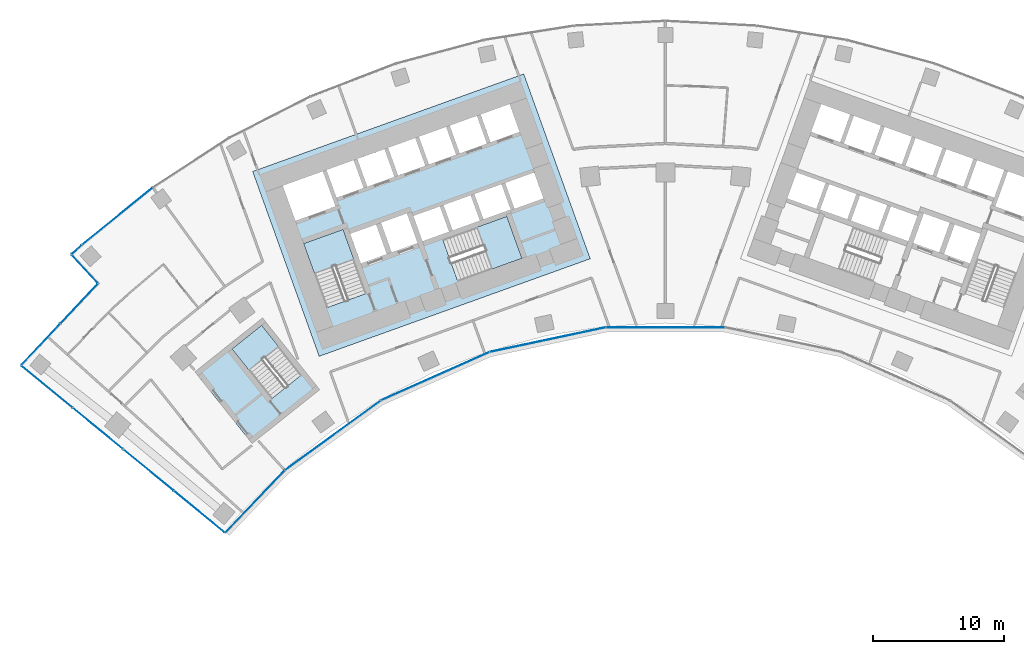
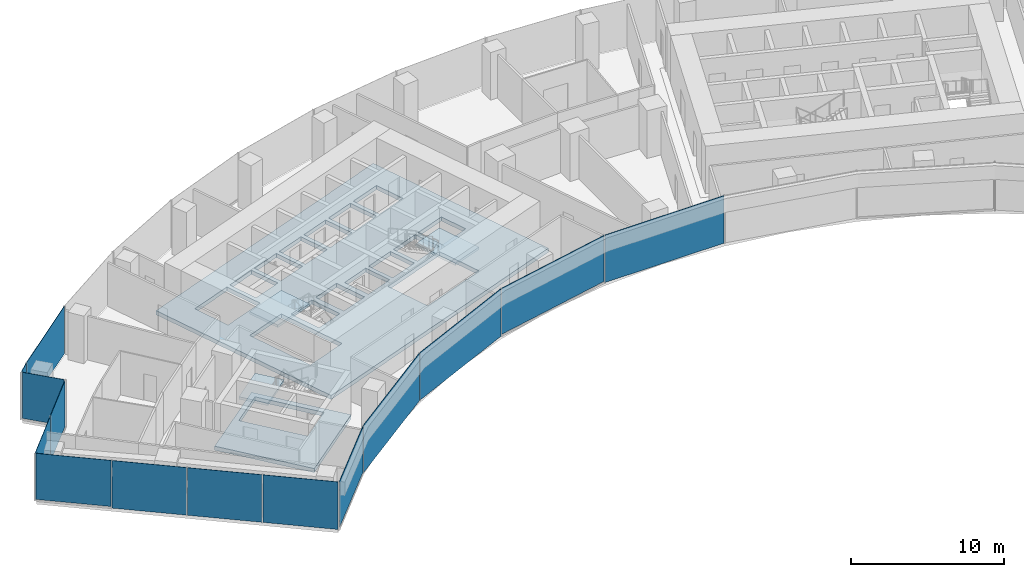
# One storey, part 11 of 20: 14 plates, 5 slabs, 8 elements without a shape of their own.
"""IFC4 building model written with IfcOpenShell, lengths in metres."""

from ifc_helpers import new_model, si_unit, direction, frame, origin, origin_2d, place, context, subcontext, project, spatial, polyline, rectangle, outline, extrude, material, layer, layer_set, type_object, element, aggregate, save


model = new_model("IFC4")

# Units and contexts
model_context = context("Model", 3, precision=1e-05, world=origin(), true_north=direction((0.0, 1.0)))
body_context = subcontext(model_context, "Body", "Model", "MODEL_VIEW")
ifc_project = project(units=[si_unit("LENGTHUNIT", "METRE"), si_unit("AREAUNIT", "SQUARE_METRE"), si_unit("VOLUMEUNIT", "CUBIC_METRE"), si_unit("PLANEANGLEUNIT", "RADIAN"), si_unit("MASSUNIT", "GRAM", prefix="KILO")], contexts=[model_context])

# Site, building, storey
site_placement = place(None, origin())
site = spatial("IfcSite", under=ifc_project, at=site_placement, CompositionType="ELEMENT")
building_placement = place(site_placement, origin())
building = spatial("IfcBuilding", under=site, at=building_placement, Name="Stone Belt Terrace Tower", CompositionType="ELEMENT")
storey_placement = place(building_placement, frame((0.0, 0.0, 106.0)))
storey = spatial("IfcBuildingStorey", under=building, at=storey_placement, Name="L25", CompositionType="ELEMENT", Elevation=106.0)

# Curtain wall, plates
ifc_material_1 = material(Name="Aluminium 6063-T6 anodised frame", Category="aluminium")
ifc_layer_1 = layer(ifc_material_1, 0.14990234375)
ifc_layer_set_1 = layer_set([ifc_layer_1], Name="CW-A unitised convex-face curtain wall")
curtain_wall_type_1 = type_object("IfcCurtainWallType", Name="CW-A unitised convex-face curtain wall", PredefinedType="NOTDEFINED", material=ifc_layer_set_1)
curtain_wall_1_placement = place(storey_placement, origin())
curtain_wall_1 = element("IfcCurtainWall", 1, at=curtain_wall_1_placement, inside=storey, type_object=curtain_wall_type_1, Name="CW-A convex face L25", PredefinedType="NOTDEFINED")
ifc_material_2 = material(Name="Clear double glazed unit")
ifc_layer_2 = layer(ifc_material_2, 0.031982421875)
ifc_layer_set_2 = layer_set([ifc_layer_2], Name="CW-A glass panel 32")
plate_type_1 = type_object("IfcPlateType", Name="CW-A glass panel 32", PredefinedType="CURTAIN_PANEL", material=ifc_layer_set_2)
plate_1_placement = place(storey_placement, frame((-41.839599609375, 51.667724609375, 0.0), z_axis=(0.0, 0.0, 1.0), x_axis=(-0.777145961457, -0.62932039105, 0.0)))
plate_1 = element("IfcPlate", 2, at=plate_1_placement, type_object=plate_type_1, Name="CW-A panel 16.1", PredefinedType="CURTAIN_PANEL", context=body_context, shape_type="SweptSolid", body=[
    extrude(rectangle(XDim=6.900634765625, YDim=0.031982421875, at=origin_2d()), origin(), (0.0, 0.0, 1.0), 3.800048828125),
])
plate_2_placement = place(storey_placement, frame((-44.933837890625, 49.12158203125, 0.0), z_axis=(0.0, 0.0, 1.0), x_axis=(-0.738017867244, -0.674781170179, 0.0)))
plate_2 = element("IfcPlate", 3, at=plate_2_placement, type_object=plate_type_1, Name="CW-A panel 17.1", PredefinedType="CURTAIN_PANEL", context=body_context, shape_type="SweptSolid", body=[
    extrude(rectangle(XDim=0.986083984375, YDim=0.031982421875, at=origin_2d()), origin(), (0.0, 0.0, 1.0), 3.800048828125),
])
aggregate(curtain_wall_1, [plate_1, plate_2])

ifc_layer_3 = layer(ifc_material_1, 0.14990234375)
ifc_layer_set_3 = layer_set([ifc_layer_3], Name="CW-B unitised concave-face curtain wall")
curtain_wall_type_2 = type_object("IfcCurtainWallType", Name="CW-B unitised concave-face curtain wall", PredefinedType="NOTDEFINED", material=ifc_layer_set_3)
curtain_wall_2_placement = place(storey_placement, origin())
curtain_wall_2 = element("IfcCurtainWall", 4, at=curtain_wall_2_placement, inside=storey, type_object=curtain_wall_type_2, Name="CW-B concave face L25", PredefinedType="NOTDEFINED")
ifc_layer_4 = layer(ifc_material_2, 0.030029296875)
ifc_layer_set_4 = layer_set([ifc_layer_4], Name="CW-B glass panel 30")
plate_type_2 = type_object("IfcPlateType", Name="CW-B glass panel 30", PredefinedType="CURTAIN_PANEL", material=ifc_layer_set_4)
plate_3_placement = place(storey_placement, frame((-31.32666015625, 29.89453125, 0.1201171875), z_axis=(0.0, 0.0, 1.0), x_axis=(0.690701733714, 0.723139761764, 0.0)))
plate_3 = element("IfcPlate", 5, at=plate_3_placement, type_object=plate_type_2, Name="CW-B panel 1.1", PredefinedType="CURTAIN_PANEL", context=body_context, shape_type="SweptSolid", body=[
    extrude(rectangle(XDim=6.506591796875, YDim=0.030029296875, at=origin_2d()), origin(), (0.0, 0.0, 1.0), 3.679931640625),
])
plate_4_placement = place(storey_placement, frame((-25.385498046875, 34.938232421875, 0.0), z_axis=(0.0, 0.0, 1.0), x_axis=(0.809016994375, 0.587785252292, 0.0)))
plate_4 = element("IfcPlate", 6, at=plate_4_placement, type_object=plate_type_2, Name="CW-B panel 2.1", PredefinedType="CURTAIN_PANEL", context=body_context, shape_type="SweptSolid", body=[
    extrude(rectangle(XDim=9.014892578125, YDim=0.030029296875, at=origin_2d()), origin(), (0.0, 0.0, 1.0), 3.800048828125),
])
plate_5_placement = place(storey_placement, frame((-17.565673828125, 39.453125, 0.0), z_axis=(0.0, 0.0, 1.0), x_axis=(0.913545457643, 0.406736643076, 0.0)))
plate_5 = element("IfcPlate", 7, at=plate_5_placement, type_object=plate_type_2, Name="CW-B panel 3.1", PredefinedType="CURTAIN_PANEL", context=body_context, shape_type="SweptSolid", body=[
    extrude(rectangle(XDim=9.0126953125, YDim=0.030029296875, at=origin_2d()), origin(), (0.0, 0.0, 1.0), 3.800048828125),
])
plate_6_placement = place(storey_placement, frame((-8.97900390625, 42.242919921875, 0.1201171875), z_axis=(0.0, 0.0, 1.0), x_axis=(0.978147600734, 0.207911690818, 0.0)))
plate_6 = element("IfcPlate", 8, at=plate_6_placement, type_object=plate_type_2, Name="CW-B panel 4.1", PredefinedType="CURTAIN_PANEL", context=body_context, shape_type="SweptSolid", body=[
    extrude(rectangle(XDim=9.0126953125, YDim=0.030029296875, at=origin_2d()), origin(), (0.0, 0.0, 1.0), 3.679931640625),
])
plate_7_placement = place(storey_placement, frame((0.0, 43.186767578125, 0.0), z_axis=(0.0, 0.0, 1.0), x_axis=(1.0, 0.0, 0.0)))
plate_7 = element("IfcPlate", 9, at=plate_7_placement, type_object=plate_type_2, Name="CW-B panel 5.1", PredefinedType="CURTAIN_PANEL", context=body_context, shape_type="SweptSolid", body=[
    extrude(rectangle(XDim=9.0126953125, YDim=0.030029296875, at=origin_2d()), origin(), (0.0, 0.0, 1.0), 3.800048828125),
])
aggregate(curtain_wall_2, [plate_3, plate_4, plate_5, plate_6, plate_7])

# Curtain wall, plate
ifc_layer_5 = layer(ifc_material_1, 0.14990234375)
ifc_layer_set_5 = layer_set([ifc_layer_5], Name="CW-C stick curtain wall, horn ends and notches")
curtain_wall_type_3 = type_object("IfcCurtainWallType", Name="CW-C stick curtain wall, horn ends and notches", PredefinedType="NOTDEFINED", material=ifc_layer_set_5)
curtain_wall_3_placement = place(storey_placement, origin())
curtain_wall_3 = element("IfcCurtainWall", 10, at=curtain_wall_3_placement, inside=storey, type_object=curtain_wall_type_3, Name="CW-C notch face L25", PredefinedType="NOTDEFINED")
ifc_layer_6 = layer(ifc_material_2, 0.028076171875)
ifc_layer_set_6 = layer_set([ifc_layer_6], Name="CW-C glass panel 28")
plate_type_3 = type_object("IfcPlateType", Name="CW-C glass panel 28", PredefinedType="CURTAIN_PANEL", material=ifc_layer_set_6)
plate_8_placement = place(storey_placement, frame((-44.32958984375, 47.636962890625, 0.1201171875), z_axis=(0.0, 0.0, 1.0), x_axis=(0.680392451903, -0.732847945616, 0.0)))
plate_8 = element("IfcPlate", 11, at=plate_8_placement, type_object=plate_type_3, Name="CW-C panel 1.1", PredefinedType="CURTAIN_PANEL", context=body_context, shape_type="SweptSolid", body=[
    extrude(rectangle(XDim=2.85791015625, YDim=0.028076171875, at=origin_2d()), origin(), (0.0, 0.0, 1.0), 3.679931640625),
])
aggregate(curtain_wall_3, [plate_8])

# Curtain wall, plates
curtain_wall_4_placement = place(storey_placement, origin())
curtain_wall_4 = element("IfcCurtainWall", 12, at=curtain_wall_4_placement, inside=storey, type_object=curtain_wall_type_3, Name="CW-C notch face L25", PredefinedType="NOTDEFINED")
plate_9_placement = place(storey_placement, frame((-44.769287109375, 44.982177734375, 0.1201171875), z_axis=(0.0, 0.0, 1.0), x_axis=(-0.685164223338, -0.728388623646, 0.0)))
plate_9 = element("IfcPlate", 13, at=plate_9_placement, type_object=plate_type_3, Name="CW-C panel 1.1", PredefinedType="CURTAIN_PANEL", context=body_context, shape_type="SweptSolid", body=[
    extrude(rectangle(XDim=4.12060546875, YDim=0.028076171875, at=origin_2d()), origin(), (0.0, 0.0, 1.0), 3.679931640625),
])
plate_10_placement = place(storey_placement, frame((-47.684326171875, 41.88330078125, 0.0), z_axis=(0.0, 0.0, 1.0), x_axis=(-0.685164223338, -0.728388623646, 0.0)))
plate_10 = element("IfcPlate", 14, at=plate_10_placement, type_object=plate_type_3, Name="CW-C panel 2.1", PredefinedType="CURTAIN_PANEL", context=body_context, shape_type="SweptSolid", body=[
    extrude(rectangle(XDim=4.268798828125, YDim=0.028076171875, at=origin_2d()), origin(), (0.0, 0.0, 1.0), 3.800048828125),
])
aggregate(curtain_wall_4, [plate_9, plate_10])

curtain_wall_5_placement = place(storey_placement, origin())
curtain_wall_5 = element("IfcCurtainWall", 15, at=curtain_wall_5_placement, inside=storey, type_object=curtain_wall_type_3, Name="CW-C end face L25", PredefinedType="NOTDEFINED")
plate_11_placement = place(storey_placement, frame((-47.21728515625, 38.648193359375, 0.1201171875), z_axis=(0.0, 0.0, 1.0), x_axis=(0.77305069126, -0.634344250973, 0.0)))
plate_11 = element("IfcPlate", 16, at=plate_11_placement, type_object=plate_type_3, Name="CW-C panel 1.1", PredefinedType="CURTAIN_PANEL", context=body_context, shape_type="SweptSolid", body=[
    extrude(rectangle(XDim=4.974853515625, YDim=0.028076171875, at=origin_2d()), origin(), (0.0, 0.0, 1.0), 3.679931640625),
])
plate_12_placement = place(storey_placement, frame((-43.33837890625, 35.46533203125, 0.0), z_axis=(0.0, 0.0, 1.0), x_axis=(0.77305069126, -0.634344250973, 0.0)))
plate_12 = element("IfcPlate", 17, at=plate_12_placement, type_object=plate_type_3, Name="CW-C panel 2.1", PredefinedType="CURTAIN_PANEL", context=body_context, shape_type="SweptSolid", body=[
    extrude(rectangle(XDim=4.93994140625, YDim=0.028076171875, at=origin_2d()), origin(), (0.0, 0.0, 1.0), 3.800048828125),
])
plate_13_placement = place(storey_placement, frame((-39.47314453125, 32.29345703125, 0.0), z_axis=(0.0, 0.0, 1.0), x_axis=(0.77305069126, -0.634344250973, 0.0)))
plate_13 = element("IfcPlate", 18, at=plate_13_placement, type_object=plate_type_3, Name="CW-C panel 3.1", PredefinedType="CURTAIN_PANEL", context=body_context, shape_type="SweptSolid", body=[
    extrude(rectangle(XDim=4.93994140625, YDim=0.028076171875, at=origin_2d()), origin(), (0.0, 0.0, 1.0), 3.800048828125),
])
plate_14_placement = place(storey_placement, frame((-35.59765625, 29.113525390625, 0.0), z_axis=(0.0, 0.0, 1.0), x_axis=(0.77305069126, -0.634344250973, 0.0)))
plate_14 = element("IfcPlate", 19, at=plate_14_placement, type_object=plate_type_3, Name="CW-C panel 4.1", PredefinedType="CURTAIN_PANEL", context=body_context, shape_type="SweptSolid", body=[
    extrude(rectangle(XDim=4.966552734375, YDim=0.028076171875, at=origin_2d()), origin(), (0.0, 0.0, 1.0), 3.800048828125),
])
aggregate(curtain_wall_5, [plate_11, plate_12, plate_13, plate_14])

# Slabs
ifc_material_3 = material(Name="Concrete B40", Category="concrete")
ifc_layer_7 = layer(ifc_material_3, 0.320068359375)
ifc_layer_set_7 = layer_set([ifc_layer_7], Name="Core floor slab 320")
slab_type_1 = type_object("IfcSlabType", Name="Core floor slab 320", PredefinedType="FLOOR", material=ifc_layer_set_7)
slab_1_placement = place(storey_placement, frame((0.0, 0.0, -0.320068359375)))
element("IfcSlab", 20, at=slab_1_placement, inside=storey, type_object=slab_type_1, Name="Core A floor L25", PredefinedType="FLOOR", context=body_context, shape_type="SweptSolid", body=[
    extrude(outline(polyline([(-26.43505859375, 40.968994140625), (-5.735107421875, 48.4189453125), (-10.81396484375, 62.531982421875), (-31.513916015625, 55.0830078125), (-26.43505859375, 40.968994140625)]), holes=[polyline([(-24.60791015625, 50.659912109375), (-22.847900390625, 45.76806640625), (-25.85888671875, 44.68408203125), (-27.618896484375, 49.575927734375), (-24.60791015625, 50.659912109375)]), polyline([(-21.27392578125, 48.778076171875), (-23.25, 48.06689453125), (-24.06298828125, 50.324951171875), (-22.0869140625, 51.035888671875), (-21.27392578125, 48.778076171875)]), polyline([(-18.922119140625, 49.6240234375), (-20.89794921875, 48.9130859375), (-21.7109375, 51.1708984375), (-19.735107421875, 51.883056640625), (-18.922119140625, 49.6240234375)]), polyline([(-19.239990234375, 51.68896484375), (-17.217041015625, 52.4169921875), (-16.52294921875, 50.488037109375), (-18.5458984375, 49.760009765625), (-19.239990234375, 51.68896484375)]), polyline([(-29.2109375, 53.9990234375), (-26.153076171875, 55.09912109375), (-25.18798828125, 52.41796875), (-28.24609375, 51.31689453125), (-29.2109375, 53.9990234375)]), polyline([(-23.801025390625, 55.946044921875), (-23.0390625, 53.8291015625), (-25.10888671875, 53.083984375), (-25.87109375, 55.200927734375), (-23.801025390625, 55.946044921875)]), polyline([(-21.447998046875, 56.7919921875), (-20.68603515625, 54.675048828125), (-22.756103515625, 53.929931640625), (-23.51806640625, 56.047119140625), (-21.447998046875, 56.7919921875)]), polyline([(-19.095947265625, 57.638916015625), (-18.333984375, 55.52197265625), (-20.404052734375, 54.777099609375), (-21.166015625, 56.89404296875), (-19.095947265625, 57.638916015625)]), polyline([(-15.846923828125, 46.69189453125), (-16.998046875, 49.89208984375), (-12.10595703125, 51.652099609375), (-10.955078125, 48.452880859375), (-15.846923828125, 46.69189453125)]), polyline([(-16.239990234375, 50.589111328125), (-16.93408203125, 52.51806640625), (-14.864013671875, 53.262939453125), (-14.169921875, 51.333984375), (-16.239990234375, 50.589111328125)]), polyline([(-11.801025390625, 52.134033203125), (-11.847900390625, 52.116943359375), (-11.864990234375, 52.1640625), (-13.887939453125, 51.43603515625), (-14.58203125, 53.364990234375), (-12.511962890625, 54.110107421875), (-11.801025390625, 52.134033203125)]), polyline([(-9.30810546875, 53.031005859375), (-11.51904296875, 52.235107421875), (-12.22998046875, 54.2109375), (-10.01904296875, 55.007080078125), (-9.30810546875, 53.031005859375)]), polyline([(-16.743896484375, 58.485107421875), (-15.98193359375, 56.367919921875), (-18.052001953125, 55.623046875), (-18.81396484375, 57.739990234375), (-16.743896484375, 58.485107421875)]), polyline([(-14.39111328125, 59.33203125), (-13.6298828125, 57.215087890625), (-15.699951171875, 56.469970703125), (-16.4609375, 58.5869140625), (-14.39111328125, 59.33203125)]), polyline([(-11.89794921875, 60.22900390625), (-11.135986328125, 58.112060546875), (-13.346923828125, 57.31591796875), (-14.10888671875, 59.43408203125), (-11.89794921875, 60.22900390625)])]), origin(), (0.0, 0.0, 1.0), 0.320068359375),
])
slab_2_placement = place(storey_placement, frame((0.0, 0.0, -0.320068359375)))
element("IfcSlab", 21, at=slab_2_placement, inside=storey, type_object=slab_type_1, Name="Exit stair ST3A floor L25", PredefinedType="FLOOR", context=body_context, shape_type="SweptSolid", body=[
    extrude(outline(polyline([(-26.39404296875, 38.425048828125), (-30.756103515625, 43.89990234375), (-35.91796875, 39.787109375), (-31.555908203125, 34.31298828125), (-26.39404296875, 38.425048828125)]), holes=[polyline([(-27.798095703125, 39.544921875), (-30.06591796875, 37.738037109375), (-33.087890625, 41.531005859375), (-30.820068359375, 43.337890625), (-27.798095703125, 39.544921875)])]), origin(), (0.0, 0.0, 1.0), 0.320068359375),
])

# Stair, slab
stair_type = type_object("IfcStairType", Name="Exit stair 1500", PredefinedType="HALF_TURN_STAIR", material=ifc_material_3)
stair_1_placement = place(storey_placement, origin())
stair_1 = element("IfcStair", 22, at=stair_1_placement, inside=storey, type_object=stair_type, Name="L25 Exit stair 1 core A", PredefinedType="HALF_TURN_STAIR")
ifc_layer_8 = layer(ifc_material_3, 0.199951171875)
ifc_layer_set_8 = layer_set([ifc_layer_8], Name="Stair landing 200")
slab_type_2 = type_object("IfcSlabType", Name="Stair landing 200", PredefinedType="LANDING", material=ifc_layer_set_8)
slab_3_placement = place(storey_placement, frame((0.0, 0.0, 1.699951171875)))
slab_3 = element("IfcSlab", 23, at=slab_3_placement, type_object=slab_type_2, Name="ST1A landing 1", PredefinedType="LANDING", context=body_context, shape_type="SweptSolid", body=[
    extrude(outline(polyline([(-23.79541015625, 48.40087890625), (-24.6083984375, 50.659912109375), (-27.619384765625, 49.576171875), (-26.806396484375, 47.3173828125), (-23.79541015625, 48.40087890625)])), origin(), (0.0, 0.0, 1.0), 0.199951171875),
])
aggregate(stair_1, [slab_3])

stair_2_placement = place(storey_placement, origin())
stair_2 = element("IfcStair", 24, at=stair_2_placement, inside=storey, type_object=stair_type, Name="L25 Exit stair 2 core A", PredefinedType="HALF_TURN_STAIR")
slab_4_placement = place(storey_placement, frame((0.0, 0.0, 1.699951171875)))
slab_4 = element("IfcSlab", 25, at=slab_4_placement, type_object=slab_type_2, Name="ST2A landing 1", PredefinedType="LANDING", context=body_context, shape_type="SweptSolid", body=[
    extrude(outline(polyline([(-13.213623046875, 47.64013671875), (-10.95458984375, 48.453125), (-12.10595703125, 51.652099609375), (-14.36474609375, 50.839111328125), (-13.213623046875, 47.64013671875)])), origin(), (0.0, 0.0, 1.0), 0.199951171875),
])
aggregate(stair_2, [slab_4])

stair_3_placement = place(storey_placement, origin())
stair_3 = element("IfcStair", 26, at=stair_3_placement, inside=storey, type_object=stair_type, Name="L25 Exit stair 3A", PredefinedType="HALF_TURN_STAIR")
slab_5_placement = place(storey_placement, frame((0.0, 0.0, 1.699951171875)))
slab_5 = element("IfcSlab", 27, at=slab_5_placement, type_object=slab_type_2, Name="ST3A landing 1", PredefinedType="LANDING", context=body_context, shape_type="SweptSolid", body=[
    extrude(outline(polyline([(-29.541748046875, 41.73388671875), (-30.819580078125, 43.337890625), (-33.087646484375, 41.53076171875), (-31.809814453125, 39.9267578125), (-29.541748046875, 41.73388671875)])), origin(), (0.0, 0.0, 1.0), 0.199951171875),
])
aggregate(stair_3, [slab_5])

save(model, "model.ifc")
